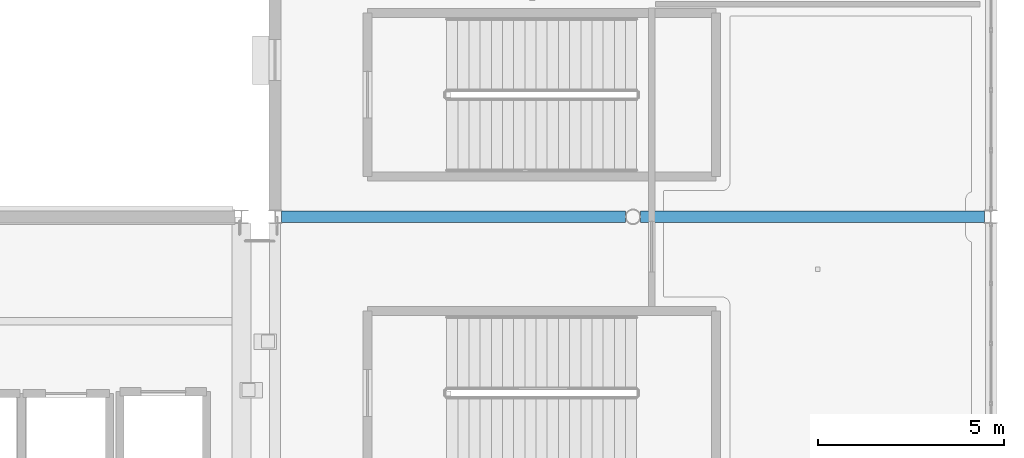
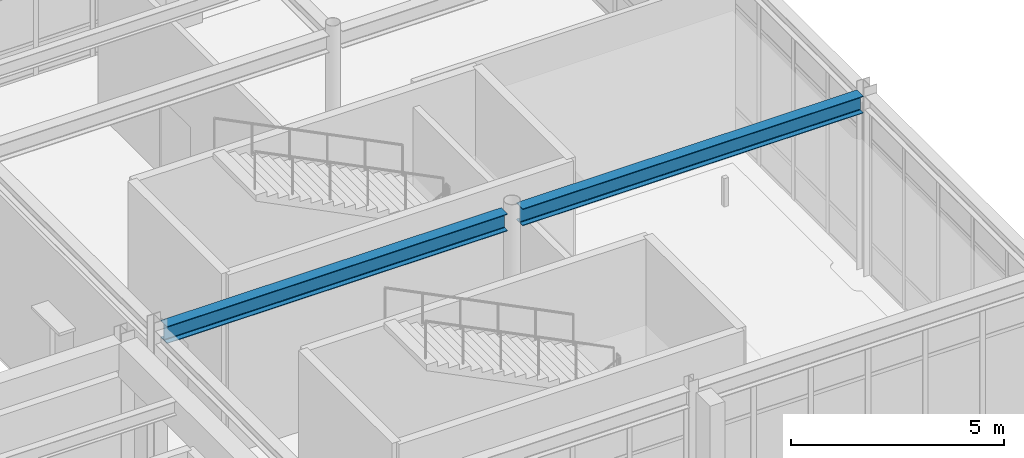
# One storey, part 19 of 80: 2 beams.
"""IFC4 building model written with IfcOpenShell, lengths in metres."""

from ifc_helpers import new_model, si_unit, direction, frame, origin, origin_2d, place, context, subcontext, project, spatial, i_section, extrude, material, material_profile, profile_set, type_object, element, save


model = new_model("IFC4")

# Units and contexts
model_context = context("Model", 3, precision=1e-05, world=origin(), true_north=direction((0.0, 1.0)))
body_context = subcontext(model_context, "Body", "Model", "MODEL_VIEW")
ifc_project = project(units=[si_unit("LENGTHUNIT", "METRE"), si_unit("AREAUNIT", "SQUARE_METRE"), si_unit("VOLUMEUNIT", "CUBIC_METRE"), si_unit("PLANEANGLEUNIT", "RADIAN"), si_unit("MASSUNIT", "GRAM", prefix="KILO")], contexts=[model_context])

# Site, building, storey
site_placement = place(None, origin())
site = spatial("IfcSite", under=ifc_project, at=site_placement, CompositionType="ELEMENT")
building_placement = place(site_placement, origin())
building = spatial("IfcBuilding", under=site, at=building_placement, Name="Canglan Escarpment Cableway Terminal", CompositionType="ELEMENT")
storey_placement = place(building_placement, frame((0.0, 0.0, 19.199951171875)))
storey = spatial("IfcBuildingStorey", under=building, at=storey_placement, Name="L04", CompositionType="ELEMENT", Elevation=19.199951171875)

# Beams
ifc_material = material(Name="Steel Q355B", Category="steel")
ifc_material_profile = material_profile(ifc_material, i_section(OverallWidth=0.300048828125, OverallDepth=0.488037109375, WebThickness=0.010986328125, FlangeThickness=0.01806640625, FilletRadius=0.02587890625, at=origin_2d()), Name="HM 488x300x11x18")
ifc_profile_set = profile_set([ifc_material_profile], Name="Steel Q355B")
beam_type = type_object("IfcBeamType", Name="BM-HM488", PredefinedType="BEAM", material=ifc_profile_set)
beam_1_placement = place(storey_placement, frame((147.375, 16.39990234375, 4.916015625), z_axis=(1.0, 0.0, 0.0), x_axis=(0.0, 1.0, 0.0)))
element("IfcBeam", 1, at=beam_1_placement, inside=storey, type_object=beam_type, Name="Primary structural girder B-09", PredefinedType="BEAM", context=body_context, shape_type="SweptSolid", body=[
    extrude(i_section(OverallWidth=0.300048828125, OverallDepth=0.488037109375, WebThickness=0.010986328125, FlangeThickness=0.01806640625, FilletRadius=0.02587890625, at=origin_2d()), origin(), (0.0, 0.0, 1.0), 9.2216796875),
])
beam_2_placement = place(storey_placement, frame((157.003173828125, 16.39990234375, 4.916015625), z_axis=(1.0, 0.0, 0.0), x_axis=(0.0, 1.0, 0.0)))
element("IfcBeam", 2, at=beam_2_placement, inside=storey, type_object=beam_type, Name="Primary structural girder B-09", PredefinedType="BEAM", context=body_context, shape_type="SweptSolid", body=[
    extrude(i_section(OverallWidth=0.300048828125, OverallDepth=0.488037109375, WebThickness=0.010986328125, FlangeThickness=0.01806640625, FilletRadius=0.02587890625, at=origin_2d()), origin(), (0.0, 0.0, 1.0), 9.221923828125),
])

save(model, "model.ifc")
